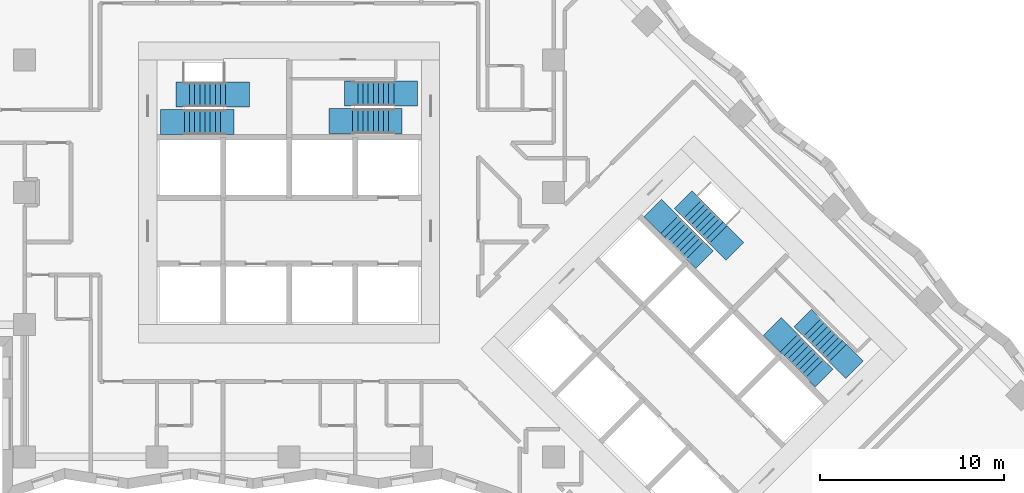
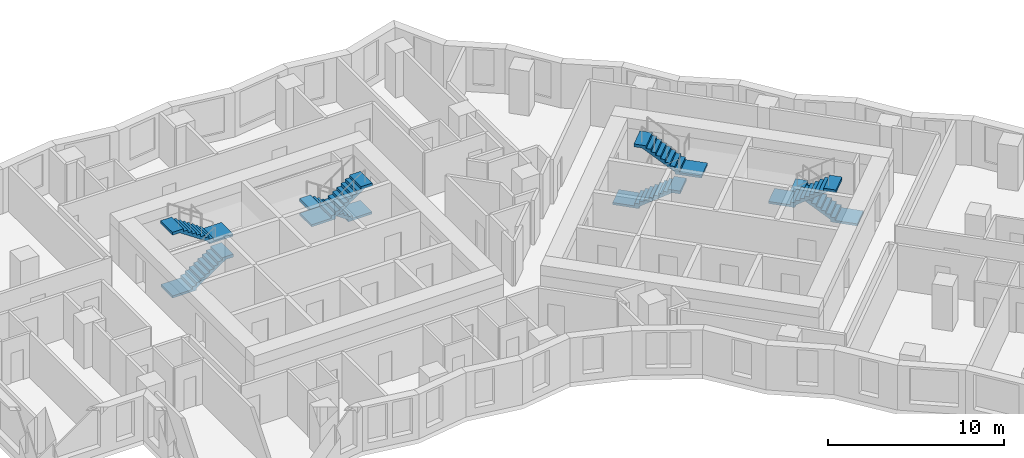
# One storey, part 10 of 12: 8 stair flights, 4 elements without a shape of their own.
"""IFC4 building model written with IfcOpenShell, lengths in metres."""

from ifc_helpers import new_model, si_unit, direction, frame, origin, place, context, subcontext, project, spatial, polyline, outline, extrude, material, type_object, element, aggregate, save


model = new_model("IFC4")

# Units and contexts
model_context = context("Model", 3, precision=1e-05, world=origin(), true_north=direction((0.0, 1.0)))
body_context = subcontext(model_context, "Body", "Model", "MODEL_VIEW")
ifc_project = project(units=[si_unit("LENGTHUNIT", "METRE"), si_unit("AREAUNIT", "SQUARE_METRE"), si_unit("VOLUMEUNIT", "CUBIC_METRE"), si_unit("PLANEANGLEUNIT", "RADIAN"), si_unit("MASSUNIT", "GRAM", prefix="KILO")], contexts=[model_context])

# Site, building, storey
site_placement = place(None, origin())
site = spatial("IfcSite", under=ifc_project, at=site_placement, CompositionType="ELEMENT")
building_placement = place(site_placement, origin())
building = spatial("IfcBuilding", under=site, at=building_placement, Name="Windrow Commons", CompositionType="ELEMENT")
storey_placement = place(building_placement, frame((0.0, 0.0, 54.2)))
storey = spatial("IfcBuildingStorey", under=building, at=storey_placement, Name="L14", CompositionType="ELEMENT", Elevation=54.2)

# Stair, stair flights
ifc_material_1 = material(Name="Concrete C40/50", Category="concrete")
stair_type = type_object("IfcStairType", Name="Core stair", PredefinedType="HALF_TURN_STAIR", material=ifc_material_1)
placement = place(storey_placement, origin())
stair_1 = element("IfcStair", 1, at=placement, inside=storey, type_object=stair_type, Name="L14 Exit stair A1 core A", PredefinedType="HALF_TURN_STAIR")
ifc_material_2 = material(Name="Concrete C40/50", Category="concrete")
stair_flight_type = type_object("IfcStairFlightType", Name="Core stair flight", PredefinedType="STRAIGHT", material=ifc_material_2)
stair_flight_1_placement = place(storey_placement, frame((59.1, 61.425, 0.0), z_axis=(0.0, 0.0, 1.0), x_axis=(1.0, 0.0, 0.0)))
stair_flight_1 = element("IfcStairFlight", 2, at=stair_flight_1_placement, type_object=stair_flight_type, Name="ST-A1 flight 1", NumberOfRisers=9, NumberOfTreads=8, PredefinedType="STRAIGHT", RiserHeight=0.188888889, TreadLength=0.28, context=body_context, shape_type="SweptSolid", body=[
    extrude(outline(polyline([(-1.3, -0.15), (-1.3, 0.0), (0.0, 0.0), (0.0, 0.1889), (0.28, 0.1889), (0.28, 0.3778), (0.56, 0.3778), (0.56, 0.5667), (0.84, 0.5667), (0.84, 0.7556), (1.12, 0.7556), (1.12, 0.9444), (1.4, 0.9444), (1.4, 1.1333), (1.68, 1.1333), (1.68, 1.3222), (1.96, 1.3222), (1.96, 1.5111), (2.24, 1.5111), (2.69, 1.5111), (2.69, 1.3111), (2.24, 1.3111), (2.24, 1.3302), (0.2682, 0.0), (0.2682, -0.15), (-1.3, -0.15)])), frame((0.0, 0.675, 0.0), z_axis=(0.0, -1.0, 0.0), x_axis=(1.0, 0.0, 0.0)), (0.0, 0.0, 1.0), 1.35),
])
stair_flight_2_placement = place(storey_placement, frame((61.34, 62.925, 1.7), z_axis=(0.0, 0.0, 1.0), x_axis=(-1.0, 0.0, 0.0)))
stair_flight_2 = element("IfcStairFlight", 3, at=stair_flight_2_placement, type_object=stair_flight_type, Name="ST-A1 flight 2", NumberOfRisers=9, NumberOfTreads=8, PredefinedType="STRAIGHT", RiserHeight=0.188888889, TreadLength=0.28, context=body_context, shape_type="SweptSolid", body=[
    extrude(outline(polyline([(-1.3, -0.15), (-1.3, 0.0), (0.0, 0.0), (0.0, 0.1889), (0.28, 0.1889), (0.28, 0.3778), (0.56, 0.3778), (0.56, 0.5667), (0.84, 0.5667), (0.84, 0.7556), (1.12, 0.7556), (1.12, 0.9444), (1.4, 0.9444), (1.4, 1.1333), (1.68, 1.1333), (1.68, 1.3222), (1.96, 1.3222), (1.96, 1.5111), (2.24, 1.5111), (2.69, 1.5111), (2.69, 1.3111), (2.24, 1.3111), (2.24, 1.3302), (0.2682, 0.0), (0.2682, -0.15), (-1.3, -0.15)])), frame((0.0, 0.675, 0.0), z_axis=(0.0, -1.0, 0.0), x_axis=(1.0, 0.0, 0.0)), (0.0, 0.0, 1.0), 1.35),
])
aggregate(stair_1, [stair_flight_1, stair_flight_2])

stair_2 = element("IfcStair", 4, at=placement, inside=storey, type_object=stair_type, Name="L14 Exit stair A2 core A", PredefinedType="HALF_TURN_STAIR")
stair_flight_3_placement = place(storey_placement, frame((70.5, 62.98, 0.0), z_axis=(0.0, 0.0, 1.0), x_axis=(-1.0, 0.0, 0.0)))
stair_flight_3 = element("IfcStairFlight", 5, at=stair_flight_3_placement, type_object=stair_flight_type, Name="ST-A2 flight 1", NumberOfRisers=9, NumberOfTreads=8, PredefinedType="STRAIGHT", RiserHeight=0.188888889, TreadLength=0.28, context=body_context, shape_type="SweptSolid", body=[
    extrude(outline(polyline([(-1.3, -0.15), (-1.3, 0.0), (0.0, 0.0), (0.0, 0.1889), (0.28, 0.1889), (0.28, 0.3778), (0.56, 0.3778), (0.56, 0.5667), (0.84, 0.5667), (0.84, 0.7556), (1.12, 0.7556), (1.12, 0.9444), (1.4, 0.9444), (1.4, 1.1333), (1.68, 1.1333), (1.68, 1.3222), (1.96, 1.3222), (1.96, 1.5111), (2.24, 1.5111), (2.69, 1.5111), (2.69, 1.3111), (2.24, 1.3111), (2.24, 1.3302), (0.2682, 0.0), (0.2682, -0.15), (-1.3, -0.15)])), frame((0.0, 0.675, 0.0), z_axis=(0.0, -1.0, 0.0), x_axis=(1.0, 0.0, 0.0)), (0.0, 0.0, 1.0), 1.35),
])
stair_flight_4_placement = place(storey_placement, frame((68.26, 61.48, 1.7), z_axis=(0.0, 0.0, 1.0), x_axis=(1.0, 0.0, 0.0)))
stair_flight_4 = element("IfcStairFlight", 6, at=stair_flight_4_placement, type_object=stair_flight_type, Name="ST-A2 flight 2", NumberOfRisers=9, NumberOfTreads=8, PredefinedType="STRAIGHT", RiserHeight=0.188888889, TreadLength=0.28, context=body_context, shape_type="SweptSolid", body=[
    extrude(outline(polyline([(-1.3, -0.15), (-1.3, 0.0), (0.0, 0.0), (0.0, 0.1889), (0.28, 0.1889), (0.28, 0.3778), (0.56, 0.3778), (0.56, 0.5667), (0.84, 0.5667), (0.84, 0.7556), (1.12, 0.7556), (1.12, 0.9444), (1.4, 0.9444), (1.4, 1.1333), (1.68, 1.1333), (1.68, 1.3222), (1.96, 1.3222), (1.96, 1.5111), (2.24, 1.5111), (2.69, 1.5111), (2.69, 1.3111), (2.24, 1.3111), (2.24, 1.3302), (0.2682, 0.0), (0.2682, -0.15), (-1.3, -0.15)])), frame((0.0, 0.675, 0.0), z_axis=(0.0, -1.0, 0.0), x_axis=(1.0, 0.0, 0.0)), (0.0, 0.0, 1.0), 1.35),
])
aggregate(stair_2, [stair_flight_3, stair_flight_4])

stair_3 = element("IfcStair", 7, at=placement, inside=storey, type_object=stair_type, Name="L14 Exit stair B1 core B", PredefinedType="HALF_TURN_STAIR")
stair_flight_5_placement = place(storey_placement, frame((85.5109, 55.8249, 0.0), z_axis=(0.0, 0.0, 1.0), x_axis=(0.7071067812, -0.7071067812, 0.0)))
stair_flight_5 = element("IfcStairFlight", 8, at=stair_flight_5_placement, type_object=stair_flight_type, Name="ST-B1 flight 1", NumberOfRisers=9, NumberOfTreads=8, PredefinedType="STRAIGHT", RiserHeight=0.188888889, TreadLength=0.28, context=body_context, shape_type="SweptSolid", body=[
    extrude(outline(polyline([(-1.3, -0.15), (-1.3, 0.0), (0.0, 0.0), (0.0, 0.1889), (0.28, 0.1889), (0.28, 0.3778), (0.56, 0.3778), (0.56, 0.5667), (0.84, 0.5667), (0.84, 0.7556), (1.12, 0.7556), (1.12, 0.9444), (1.4, 0.9444), (1.4, 1.1333), (1.68, 1.1333), (1.68, 1.3222), (1.96, 1.3222), (1.96, 1.5111), (2.24, 1.5111), (2.69, 1.5111), (2.69, 1.3111), (2.24, 1.3111), (2.24, 1.3302), (0.2682, 0.0), (0.2682, -0.15), (-1.3, -0.15)])), frame((0.0, 0.675, 0.0), z_axis=(0.0, -1.0, 0.0), x_axis=(1.0, 0.0, 0.0)), (0.0, 0.0, 1.0), 1.35),
])
stair_flight_6_placement = place(storey_placement, frame((88.1555, 55.3017, 1.7), z_axis=(0.0, 0.0, 1.0), x_axis=(-0.7071067812, 0.7071067812, 0.0)))
stair_flight_6 = element("IfcStairFlight", 9, at=stair_flight_6_placement, type_object=stair_flight_type, Name="ST-B1 flight 2", NumberOfRisers=9, NumberOfTreads=8, PredefinedType="STRAIGHT", RiserHeight=0.188888889, TreadLength=0.28, context=body_context, shape_type="SweptSolid", body=[
    extrude(outline(polyline([(-1.3, -0.15), (-1.3, 0.0), (0.0, 0.0), (0.0, 0.1889), (0.28, 0.1889), (0.28, 0.3778), (0.56, 0.3778), (0.56, 0.5667), (0.84, 0.5667), (0.84, 0.7556), (1.12, 0.7556), (1.12, 0.9444), (1.4, 0.9444), (1.4, 1.1333), (1.68, 1.1333), (1.68, 1.3222), (1.96, 1.3222), (1.96, 1.5111), (2.24, 1.5111), (2.69, 1.5111), (2.69, 1.3111), (2.24, 1.3111), (2.24, 1.3302), (0.2682, 0.0), (0.2682, -0.15), (-1.3, -0.15)])), frame((0.0, 0.675, 0.0), z_axis=(0.0, -1.0, 0.0), x_axis=(1.0, 0.0, 0.0)), (0.0, 0.0, 1.0), 1.35),
])
aggregate(stair_3, [stair_flight_5, stair_flight_6])

stair_4 = element("IfcStair", 10, at=placement, inside=storey, type_object=stair_type, Name="L14 Exit stair B2 core B", PredefinedType="HALF_TURN_STAIR")
stair_flight_7_placement = place(storey_placement, frame((94.6715, 48.8635, 0.0), z_axis=(0.0, 0.0, 1.0), x_axis=(-0.7071067812, 0.7071067812, 0.0)))
stair_flight_7 = element("IfcStairFlight", 11, at=stair_flight_7_placement, type_object=stair_flight_type, Name="ST-B2 flight 1", NumberOfRisers=9, NumberOfTreads=8, PredefinedType="STRAIGHT", RiserHeight=0.188888889, TreadLength=0.28, context=body_context, shape_type="SweptSolid", body=[
    extrude(outline(polyline([(-1.3, -0.15), (-1.3, 0.0), (0.0, 0.0), (0.0, 0.1889), (0.28, 0.1889), (0.28, 0.3778), (0.56, 0.3778), (0.56, 0.5667), (0.84, 0.5667), (0.84, 0.7556), (1.12, 0.7556), (1.12, 0.9444), (1.4, 0.9444), (1.4, 1.1333), (1.68, 1.1333), (1.68, 1.3222), (1.96, 1.3222), (1.96, 1.5111), (2.24, 1.5111), (2.69, 1.5111), (2.69, 1.3111), (2.24, 1.3111), (2.24, 1.3302), (0.2682, 0.0), (0.2682, -0.15), (-1.3, -0.15)])), frame((0.0, 0.675, 0.0), z_axis=(0.0, -1.0, 0.0), x_axis=(1.0, 0.0, 0.0)), (0.0, 0.0, 1.0), 1.35),
])
stair_flight_8_placement = place(storey_placement, frame((92.0269, 49.3867, 1.7), z_axis=(0.0, 0.0, 1.0), x_axis=(0.7071067812, -0.7071067812, 0.0)))
stair_flight_8 = element("IfcStairFlight", 12, at=stair_flight_8_placement, type_object=stair_flight_type, Name="ST-B2 flight 2", NumberOfRisers=9, NumberOfTreads=8, PredefinedType="STRAIGHT", RiserHeight=0.188888889, TreadLength=0.28, context=body_context, shape_type="SweptSolid", body=[
    extrude(outline(polyline([(-1.3, -0.15), (-1.3, 0.0), (0.0, 0.0), (0.0, 0.1889), (0.28, 0.1889), (0.28, 0.3778), (0.56, 0.3778), (0.56, 0.5667), (0.84, 0.5667), (0.84, 0.7556), (1.12, 0.7556), (1.12, 0.9444), (1.4, 0.9444), (1.4, 1.1333), (1.68, 1.1333), (1.68, 1.3222), (1.96, 1.3222), (1.96, 1.5111), (2.24, 1.5111), (2.69, 1.5111), (2.69, 1.3111), (2.24, 1.3111), (2.24, 1.3302), (0.2682, 0.0), (0.2682, -0.15), (-1.3, -0.15)])), frame((0.0, 0.675, 0.0), z_axis=(0.0, -1.0, 0.0), x_axis=(1.0, 0.0, 0.0)), (0.0, 0.0, 1.0), 1.35),
])
aggregate(stair_4, [stair_flight_7, stair_flight_8])

save(model, "model.ifc")
